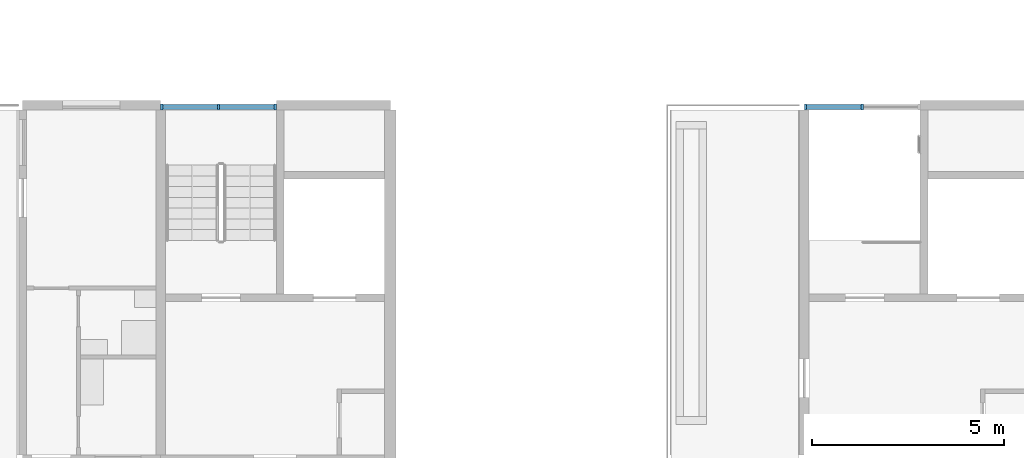
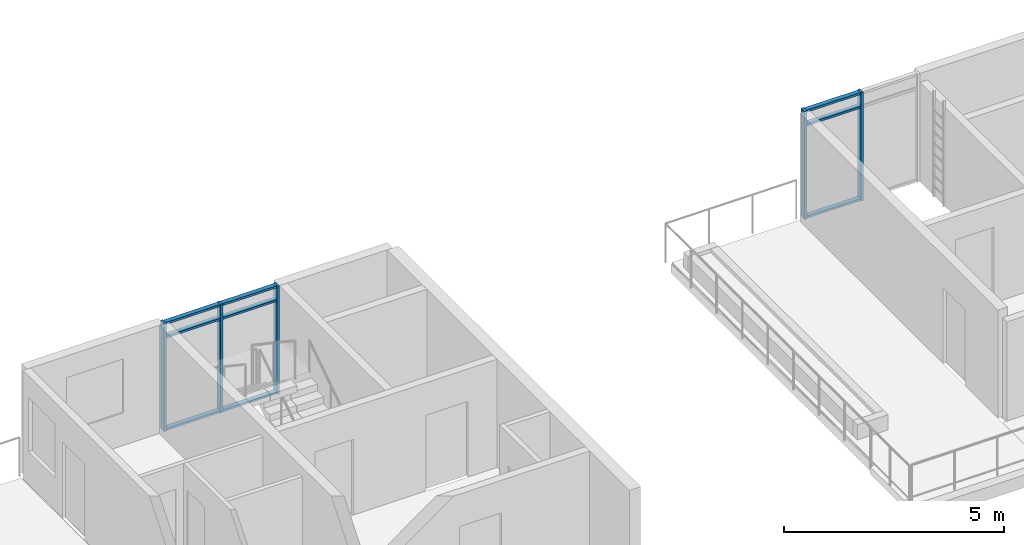
# One storey, part 21 of 87: 14 members, 2 elements without a shape of their own.
"""IFC4 building model written with IfcOpenShell, lengths in metres."""

from ifc_helpers import new_model, si_unit, direction, frame, origin, origin_2d, place, context, subcontext, project, spatial, rectangle, extrude, material, material_profile, profile_set, type_object, element, aggregate, save


model = new_model("IFC4")

# Units and contexts
model_context = context("Model", 3, precision=1e-05, world=origin(), true_north=direction((0.0, 1.0)))
body_context = subcontext(model_context, "Body", "Model", "MODEL_VIEW")
ifc_project = project(units=[si_unit("LENGTHUNIT", "METRE"), si_unit("AREAUNIT", "SQUARE_METRE"), si_unit("VOLUMEUNIT", "CUBIC_METRE"), si_unit("PLANEANGLEUNIT", "RADIAN"), si_unit("MASSUNIT", "GRAM", prefix="KILO")], contexts=[model_context])

# Site, building, storey
site_placement = place(None, origin())
site = spatial("IfcSite", under=ifc_project, at=site_placement, CompositionType="ELEMENT")
building_placement = place(site_placement, origin())
building = spatial("IfcBuilding", under=site, at=building_placement, Name="Ridgestep Commons", CompositionType="ELEMENT")
storey_placement = place(building_placement, frame((0.0, 0.0, 27.0)))
storey = spatial("IfcBuildingStorey", under=building, at=storey_placement, Name="L09", CompositionType="ELEMENT", Elevation=27.0)

# Curtain wall, members
ifc_material_1 = material(Name="Aluminium 6063-T6 and glass", Category="aluminium")
curtain_wall_type = type_object("IfcCurtainWallType", Name="Curtain wall stair strip", PredefinedType="NOTDEFINED", material=ifc_material_1)
curtain_wall_1_placement = place(storey_placement, origin())
curtain_wall_1 = element("IfcCurtainWall", 1, at=curtain_wall_1_placement, inside=storey, type_object=curtain_wall_type, Name="Curtain wall C1C level 09", PredefinedType="NOTDEFINED")
ifc_material_2 = material(Name="Aluminium 6063-T6", Category="aluminium")
ifc_material_profile_1 = material_profile(ifc_material_2, rectangle(XDim=0.159912109375, YDim=0.06005859375, at=origin_2d()), Name="Mullion 60 x 160")
ifc_profile_set_1 = profile_set([ifc_material_profile_1], Name="Aluminium 6063-T6")
member_type_1 = type_object("IfcMemberType", Name="Mullion 60 x 160", PredefinedType="MULLION", material=ifc_profile_set_1)
member_1_placement = place(storey_placement, frame((157.6298828125, 77.080078125, 0.0), z_axis=(0.0, 0.0, 1.0), x_axis=(0.0, 1.0, 0.0)))
member_1 = element("IfcMember", 2, at=member_1_placement, type_object=member_type_1, Name="CW1 mullion 1", PredefinedType="MULLION", context=body_context, shape_type="SweptSolid", body=[
    extrude(rectangle(XDim=0.159912109375, YDim=0.06005859375, at=origin_2d()), origin(), (0.0, 0.0, 1.0), 3.0),
])
member_2_placement = place(storey_placement, frame((159.112548828125, 77.080078125, 0.0), z_axis=(0.0, 0.0, 1.0), x_axis=(0.0, 1.0, 0.0)))
member_2 = element("IfcMember", 3, at=member_2_placement, type_object=member_type_1, Name="CW1 mullion 2", PredefinedType="MULLION", context=body_context, shape_type="SweptSolid", body=[
    extrude(rectangle(XDim=0.159912109375, YDim=0.06005859375, at=origin_2d()), origin(), (0.0, 0.0, 1.0), 3.0),
])
member_3_placement = place(storey_placement, frame((160.594970703125, 77.080078125, 0.0), z_axis=(0.0, 0.0, 1.0), x_axis=(0.0, 1.0, 0.0)))
member_3 = element("IfcMember", 4, at=member_3_placement, type_object=member_type_1, Name="CW1 mullion 3", PredefinedType="MULLION", context=body_context, shape_type="SweptSolid", body=[
    extrude(rectangle(XDim=0.159912109375, YDim=0.06005859375, at=origin_2d()), origin(), (0.0, 0.0, 1.0), 3.0),
])

curtain_wall_2_placement = place(storey_placement, origin())
curtain_wall_2 = element("IfcCurtainWall", 5, at=curtain_wall_2_placement, inside=storey, type_object=curtain_wall_type, Name="Curtain wall C2C level 09", PredefinedType="NOTDEFINED")
member_4_placement = place(storey_placement, frame((174.429931640625, 77.080078125, 0.0), z_axis=(0.0, 0.0, 1.0), x_axis=(0.0, 1.0, 0.0)))
member_4 = element("IfcMember", 6, at=member_4_placement, type_object=member_type_1, Name="CW1 mullion 1", PredefinedType="MULLION", context=body_context, shape_type="SweptSolid", body=[
    extrude(rectangle(XDim=0.159912109375, YDim=0.06005859375, at=origin_2d()), origin(), (0.0, 0.0, 1.0), 3.0),
])
member_5_placement = place(storey_placement, frame((175.91259765625, 77.080078125, 0.0), z_axis=(0.0, 0.0, 1.0), x_axis=(0.0, 1.0, 0.0)))
member_5 = element("IfcMember", 7, at=member_5_placement, type_object=member_type_1, Name="CW1 mullion 2", PredefinedType="MULLION", context=body_context, shape_type="SweptSolid", body=[
    extrude(rectangle(XDim=0.159912109375, YDim=0.06005859375, at=origin_2d()), origin(), (0.0, 0.0, 1.0), 3.0),
])

# Member
ifc_material_3 = material(Name="Aluminium 6063-T6", Category="aluminium")
ifc_material_profile_2 = material_profile(ifc_material_3, rectangle(XDim=0.1201171875, YDim=0.06005859375, at=origin_2d()), Name="Transom 60 x 120")
ifc_profile_set_2 = profile_set([ifc_material_profile_2], Name="Aluminium 6063-T6")
member_type_2 = type_object("IfcMemberType", Name="Transom 60 x 120", PredefinedType="USERDEFINED", material=ifc_profile_set_2)
member_6_placement = place(storey_placement, frame((157.659912109375, 77.080078125, 0.030029296875), z_axis=(1.0, 0.0, 0.0), x_axis=(0.0, 1.0, 0.0)))
member_6 = element("IfcMember", 8, at=member_6_placement, type_object=member_type_2, Name="CW1 transom 1.1", ObjectType="TRANSOM", PredefinedType="USERDEFINED", context=body_context, shape_type="SweptSolid", body=[
    extrude(rectangle(XDim=0.1201171875, YDim=0.06005859375, at=origin_2d()), origin(), (0.0, 0.0, 1.0), 1.422607421875),
])

member_7_placement = place(storey_placement, frame((157.659912109375, 77.080078125, 2.590087890625), z_axis=(1.0, 0.0, 0.0), x_axis=(0.0, 1.0, 0.0)))
member_7 = element("IfcMember", 9, at=member_7_placement, type_object=member_type_2, Name="CW1 transom 1.2", ObjectType="TRANSOM", PredefinedType="USERDEFINED", context=body_context, shape_type="SweptSolid", body=[
    extrude(rectangle(XDim=0.1201171875, YDim=0.06005859375, at=origin_2d()), origin(), (0.0, 0.0, 1.0), 1.422607421875),
])

member_8_placement = place(storey_placement, frame((157.659912109375, 77.080078125, 2.969970703125), z_axis=(1.0, 0.0, 0.0), x_axis=(0.0, 1.0, 0.0)))
member_8 = element("IfcMember", 10, at=member_8_placement, type_object=member_type_2, Name="CW1 transom 1.3", ObjectType="TRANSOM", PredefinedType="USERDEFINED", context=body_context, shape_type="SweptSolid", body=[
    extrude(rectangle(XDim=0.1201171875, YDim=0.06005859375, at=origin_2d()), origin(), (0.0, 0.0, 1.0), 1.422607421875),
])

member_9_placement = place(storey_placement, frame((159.142578125, 77.080078125, 0.030029296875), z_axis=(1.0, 0.0, 0.0), x_axis=(0.0, 1.0, 0.0)))
member_9 = element("IfcMember", 11, at=member_9_placement, type_object=member_type_2, Name="CW1 transom 2.1", ObjectType="TRANSOM", PredefinedType="USERDEFINED", context=body_context, shape_type="SweptSolid", body=[
    extrude(rectangle(XDim=0.1201171875, YDim=0.06005859375, at=origin_2d()), origin(), (0.0, 0.0, 1.0), 1.42236328125),
])

member_10_placement = place(storey_placement, frame((159.142578125, 77.080078125, 2.590087890625), z_axis=(1.0, 0.0, 0.0), x_axis=(0.0, 1.0, 0.0)))
member_10 = element("IfcMember", 12, at=member_10_placement, type_object=member_type_2, Name="CW1 transom 2.2", ObjectType="TRANSOM", PredefinedType="USERDEFINED", context=body_context, shape_type="SweptSolid", body=[
    extrude(rectangle(XDim=0.1201171875, YDim=0.06005859375, at=origin_2d()), origin(), (0.0, 0.0, 1.0), 1.42236328125),
])

member_11_placement = place(storey_placement, frame((159.142578125, 77.080078125, 2.969970703125), z_axis=(1.0, 0.0, 0.0), x_axis=(0.0, 1.0, 0.0)))
member_11 = element("IfcMember", 13, at=member_11_placement, type_object=member_type_2, Name="CW1 transom 2.3", ObjectType="TRANSOM", PredefinedType="USERDEFINED", context=body_context, shape_type="SweptSolid", body=[
    extrude(rectangle(XDim=0.1201171875, YDim=0.06005859375, at=origin_2d()), origin(), (0.0, 0.0, 1.0), 1.42236328125),
])

aggregate(curtain_wall_1, [member_1, member_2, member_3, member_6, member_7, member_8, member_9, member_10, member_11])

member_12_placement = place(storey_placement, frame((174.4599609375, 77.080078125, 0.030029296875), z_axis=(1.0, 0.0, 0.0), x_axis=(0.0, 1.0, 0.0)))
member_12 = element("IfcMember", 14, at=member_12_placement, type_object=member_type_2, Name="CW1 transom 1.1", ObjectType="TRANSOM", PredefinedType="USERDEFINED", context=body_context, shape_type="SweptSolid", body=[
    extrude(rectangle(XDim=0.1201171875, YDim=0.06005859375, at=origin_2d()), origin(), (0.0, 0.0, 1.0), 1.422607421875),
])

member_13_placement = place(storey_placement, frame((174.4599609375, 77.080078125, 2.590087890625), z_axis=(1.0, 0.0, 0.0), x_axis=(0.0, 1.0, 0.0)))
member_13 = element("IfcMember", 15, at=member_13_placement, type_object=member_type_2, Name="CW1 transom 1.2", ObjectType="TRANSOM", PredefinedType="USERDEFINED", context=body_context, shape_type="SweptSolid", body=[
    extrude(rectangle(XDim=0.1201171875, YDim=0.06005859375, at=origin_2d()), origin(), (0.0, 0.0, 1.0), 1.422607421875),
])

member_14_placement = place(storey_placement, frame((174.4599609375, 77.080078125, 2.969970703125), z_axis=(1.0, 0.0, 0.0), x_axis=(0.0, 1.0, 0.0)))
member_14 = element("IfcMember", 16, at=member_14_placement, type_object=member_type_2, Name="CW1 transom 1.3", ObjectType="TRANSOM", PredefinedType="USERDEFINED", context=body_context, shape_type="SweptSolid", body=[
    extrude(rectangle(XDim=0.1201171875, YDim=0.06005859375, at=origin_2d()), origin(), (0.0, 0.0, 1.0), 1.422607421875),
])

aggregate(curtain_wall_2, [member_4, member_5, member_12, member_13, member_14])

save(model, "model.ifc")
